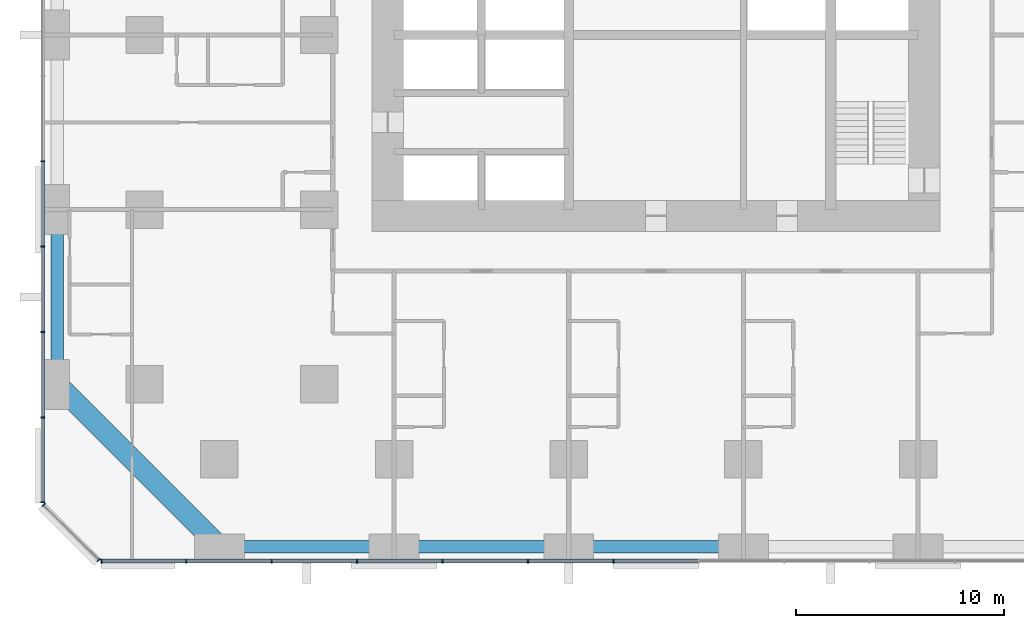
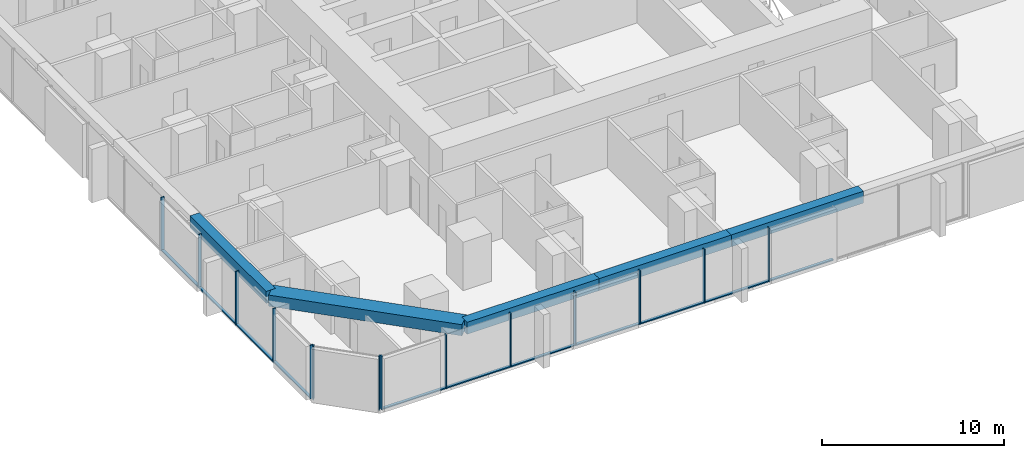
# One storey, part 2 of 17: 25 members, 5 beams, 3 elements without a shape of their own.
"""IFC4 building model written with IfcOpenShell, lengths in metres."""

from ifc_helpers import new_model, si_unit, direction, frame, origin, origin_2d, place, context, subcontext, project, spatial, rectangle, extrude, material, material_profile, profile_set, type_object, element, aggregate, save


model = new_model("IFC4")

# Units and contexts
model_context = context("Model", 3, precision=1e-05, world=origin(), true_north=direction((0.0, 1.0)))
body_context = subcontext(model_context, "Body", "Model", "MODEL_VIEW")
ifc_project = project(units=[si_unit("LENGTHUNIT", "METRE"), si_unit("AREAUNIT", "SQUARE_METRE"), si_unit("VOLUMEUNIT", "CUBIC_METRE"), si_unit("PLANEANGLEUNIT", "RADIAN"), si_unit("MASSUNIT", "GRAM", prefix="KILO")], contexts=[model_context])

# Site, building, storey
site_placement = place(None, origin())
site = spatial("IfcSite", under=ifc_project, at=site_placement, CompositionType="ELEMENT")
building_placement = place(site_placement, origin())
building = spatial("IfcBuilding", under=site, at=building_placement, Name="Dunama Terrace Hotel", CompositionType="ELEMENT")
storey_placement = place(building_placement, frame((0.0, 0.0, 59.39990234375)))
storey = spatial("IfcBuildingStorey", under=building, at=storey_placement, Name="L14", CompositionType="ELEMENT", Elevation=59.39990234375)

# Curtain wall, members
ifc_material_1 = material(Name="Aluminium curtain wall system", Category="aluminium")
curtain_wall_type = type_object("IfcCurtainWallType", Name="Unitised fritted glass wall CW-A", PredefinedType="NOTDEFINED", material=ifc_material_1)
curtain_wall_1_placement = place(storey_placement, origin())
curtain_wall_1 = element("IfcCurtainWall", 1, at=curtain_wall_1_placement, inside=storey, type_object=curtain_wall_type, Name="Unitised fritted glass wall CW-A L14", PredefinedType="NOTDEFINED")
ifc_material_2 = material(Name="Aluminium mullion", Category="aluminium")
ifc_material_profile_1 = material_profile(ifc_material_2, rectangle(XDim=0.06494140625, YDim=0.199951171875, at=origin_2d()), Name="CWA MULLION 65X200")
ifc_profile_set_1 = profile_set([ifc_material_profile_1], Name="Aluminium mullion")
member_type_1 = type_object("IfcMemberType", Name="CWA mullion 65x200", PredefinedType="MULLION", material=ifc_profile_set_1)
member_1_placement = place(storey_placement, frame((2.73291015625, -0.10009765625, 0.0), z_axis=(0.0, 0.0, 1.0), x_axis=(1.0, 0.0, 0.0)))
member_1 = element("IfcMember", 2, at=member_1_placement, type_object=member_type_1, Name="CWA mullion", PredefinedType="MULLION", context=body_context, shape_type="SweptSolid", body=[
    extrude(rectangle(XDim=0.06494140625, YDim=0.199951171875, at=origin_2d()), origin(), (0.0, 0.0, 1.0), 3.60009765625),
])
member_2_placement = place(storey_placement, frame((6.80810546875, -0.10009765625, 0.0), z_axis=(0.0, 0.0, 1.0), x_axis=(1.0, 0.0, 0.0)))
member_2 = element("IfcMember", 3, at=member_2_placement, type_object=member_type_1, Name="CWA mullion", PredefinedType="MULLION", context=body_context, shape_type="SweptSolid", body=[
    extrude(rectangle(XDim=0.06494140625, YDim=0.199951171875, at=origin_2d()), origin(), (0.0, 0.0, 1.0), 3.60009765625),
])
member_3_placement = place(storey_placement, frame((10.9150390625, -0.10009765625, 0.0), z_axis=(0.0, 0.0, 1.0), x_axis=(1.0, 0.0, 0.0)))
member_3 = element("IfcMember", 4, at=member_3_placement, type_object=member_type_1, Name="CWA mullion", PredefinedType="MULLION", context=body_context, shape_type="SweptSolid", body=[
    extrude(rectangle(XDim=0.06494140625, YDim=0.199951171875, at=origin_2d()), origin(), (0.0, 0.0, 1.0), 3.60009765625),
])
member_4_placement = place(storey_placement, frame((15.02294921875, -0.10009765625, 0.0), z_axis=(0.0, 0.0, 1.0), x_axis=(1.0, 0.0, 0.0)))
member_4 = element("IfcMember", 5, at=member_4_placement, type_object=member_type_1, Name="CWA mullion", PredefinedType="MULLION", context=body_context, shape_type="SweptSolid", body=[
    extrude(rectangle(XDim=0.06494140625, YDim=0.199951171875, at=origin_2d()), origin(), (0.0, 0.0, 1.0), 3.60009765625),
])
member_5_placement = place(storey_placement, frame((19.131103515625, -0.10009765625, 0.0), z_axis=(0.0, 0.0, 1.0), x_axis=(1.0, 0.0, 0.0)))
member_5 = element("IfcMember", 6, at=member_5_placement, type_object=member_type_1, Name="CWA mullion", PredefinedType="MULLION", context=body_context, shape_type="SweptSolid", body=[
    extrude(rectangle(XDim=0.06494140625, YDim=0.199951171875, at=origin_2d()), origin(), (0.0, 0.0, 1.0), 3.60009765625),
])
member_6_placement = place(storey_placement, frame((23.238037109375, -0.10009765625, 0.0), z_axis=(0.0, 0.0, 1.0), x_axis=(1.0, 0.0, 0.0)))
member_6 = element("IfcMember", 7, at=member_6_placement, type_object=member_type_1, Name="CWA mullion", PredefinedType="MULLION", context=body_context, shape_type="SweptSolid", body=[
    extrude(rectangle(XDim=0.06494140625, YDim=0.199951171875, at=origin_2d()), origin(), (0.0, 0.0, 1.0), 3.60009765625),
])
member_7_placement = place(storey_placement, frame((27.345947265625, -0.10009765625, 0.0), z_axis=(0.0, 0.0, 1.0), x_axis=(1.0, 0.0, 0.0)))
member_7 = element("IfcMember", 8, at=member_7_placement, type_object=member_type_1, Name="CWA mullion", PredefinedType="MULLION", context=body_context, shape_type="SweptSolid", body=[
    extrude(rectangle(XDim=0.06494140625, YDim=0.199951171875, at=origin_2d()), origin(), (0.0, 0.0, 1.0), 3.60009765625),
])

curtain_wall_2_placement = place(storey_placement, origin())
curtain_wall_2 = element("IfcCurtainWall", 9, at=curtain_wall_2_placement, inside=storey, type_object=curtain_wall_type, Name="Unitised fritted glass wall CW-A L14", PredefinedType="NOTDEFINED")
member_8_placement = place(storey_placement, frame((-0.10009765625, 19.131103515625, 0.0), z_axis=(0.0, 0.0, 1.0), x_axis=(0.0, -1.0, 0.0)))
member_8 = element("IfcMember", 10, at=member_8_placement, type_object=member_type_1, Name="CWA mullion", PredefinedType="MULLION", context=body_context, shape_type="SweptSolid", body=[
    extrude(rectangle(XDim=0.06494140625, YDim=0.199951171875, at=origin_2d()), origin(), (0.0, 0.0, 1.0), 3.60009765625),
])
member_9_placement = place(storey_placement, frame((-0.10009765625, 15.02294921875, 0.0), z_axis=(0.0, 0.0, 1.0), x_axis=(0.0, -1.0, 0.0)))
member_9 = element("IfcMember", 11, at=member_9_placement, type_object=member_type_1, Name="CWA mullion", PredefinedType="MULLION", context=body_context, shape_type="SweptSolid", body=[
    extrude(rectangle(XDim=0.06494140625, YDim=0.199951171875, at=origin_2d()), origin(), (0.0, 0.0, 1.0), 3.60009765625),
])
member_10_placement = place(storey_placement, frame((-0.10009765625, 10.9150390625, 0.0), z_axis=(0.0, 0.0, 1.0), x_axis=(0.0, -1.0, 0.0)))
member_10 = element("IfcMember", 12, at=member_10_placement, type_object=member_type_1, Name="CWA mullion", PredefinedType="MULLION", context=body_context, shape_type="SweptSolid", body=[
    extrude(rectangle(XDim=0.06494140625, YDim=0.199951171875, at=origin_2d()), origin(), (0.0, 0.0, 1.0), 3.60009765625),
])
member_11_placement = place(storey_placement, frame((-0.10009765625, 6.80810546875, 0.0), z_axis=(0.0, 0.0, 1.0), x_axis=(0.0, -1.0, 0.0)))
member_11 = element("IfcMember", 13, at=member_11_placement, type_object=member_type_1, Name="CWA mullion", PredefinedType="MULLION", context=body_context, shape_type="SweptSolid", body=[
    extrude(rectangle(XDim=0.06494140625, YDim=0.199951171875, at=origin_2d()), origin(), (0.0, 0.0, 1.0), 3.60009765625),
])
member_12_placement = place(storey_placement, frame((-0.10009765625, 2.73291015625, 0.0), z_axis=(0.0, 0.0, 1.0), x_axis=(0.0, -1.0, 0.0)))
member_12 = element("IfcMember", 14, at=member_12_placement, type_object=member_type_1, Name="CWA mullion", PredefinedType="MULLION", context=body_context, shape_type="SweptSolid", body=[
    extrude(rectangle(XDim=0.06494140625, YDim=0.199951171875, at=origin_2d()), origin(), (0.0, 0.0, 1.0), 3.60009765625),
])

curtain_wall_3_placement = place(storey_placement, origin())
curtain_wall_3 = element("IfcCurtainWall", 15, at=curtain_wall_3_placement, inside=storey, type_object=curtain_wall_type, Name="Unitised fritted glass wall CW-A L14", PredefinedType="NOTDEFINED")
member_13_placement = place(storey_placement, frame((-0.048095703125, 2.60595703125, 0.0), z_axis=(0.0, 0.0, 1.0), x_axis=(0.707106781187, -0.707106781187, 0.0)))
member_13 = element("IfcMember", 16, at=member_13_placement, type_object=member_type_1, Name="CWA mullion", PredefinedType="MULLION", context=body_context, shape_type="SweptSolid", body=[
    extrude(rectangle(XDim=0.06494140625, YDim=0.199951171875, at=origin_2d()), origin(), (0.0, 0.0, 1.0), 3.60009765625),
])
member_14_placement = place(storey_placement, frame((2.60595703125, -0.048095703125, 0.0), z_axis=(0.0, 0.0, 1.0), x_axis=(0.707106781187, -0.707106781187, 0.0)))
member_14 = element("IfcMember", 17, at=member_14_placement, type_object=member_type_1, Name="CWA mullion", PredefinedType="MULLION", context=body_context, shape_type="SweptSolid", body=[
    extrude(rectangle(XDim=0.06494140625, YDim=0.199951171875, at=origin_2d()), origin(), (0.0, 0.0, 1.0), 3.60009765625),
])
aggregate(curtain_wall_3, [member_13, member_14])

# Member
ifc_material_3 = material(Name="Aluminium transom", Category="aluminium")
ifc_material_profile_2 = material_profile(ifc_material_3, rectangle(XDim=0.179931640625, YDim=0.074951171875, at=origin_2d()), Name="CWA TRANSOM 180X75")
ifc_profile_set_2 = profile_set([ifc_material_profile_2], Name="Aluminium transom")
member_type_2 = type_object("IfcMemberType", Name="CWA transom 180x75", PredefinedType="USERDEFINED", material=ifc_profile_set_2)
member_15_placement = place(storey_placement, frame((2.764892578125, -0.10009765625, 0.03759765625), z_axis=(1.0, 0.0, 0.0), x_axis=(0.0, 1.0, 0.0)))
member_15 = element("IfcMember", 18, at=member_15_placement, type_object=member_type_2, Name="CWA transom", ObjectType="TRANSOM", PredefinedType="USERDEFINED", context=body_context, shape_type="SweptSolid", body=[
    extrude(rectangle(XDim=0.179931640625, YDim=0.074951171875, at=origin_2d()), origin(), (0.0, 0.0, 1.0), 4.010009765625),
])

member_16_placement = place(storey_placement, frame((6.840087890625, -0.10009765625, 0.03759765625), z_axis=(1.0, 0.0, 0.0), x_axis=(0.0, 1.0, 0.0)))
member_16 = element("IfcMember", 19, at=member_16_placement, type_object=member_type_2, Name="CWA transom", ObjectType="TRANSOM", PredefinedType="USERDEFINED", context=body_context, shape_type="SweptSolid", body=[
    extrude(rectangle(XDim=0.179931640625, YDim=0.074951171875, at=origin_2d()), origin(), (0.0, 0.0, 1.0), 4.04296875),
])

member_17_placement = place(storey_placement, frame((10.947998046875, -0.10009765625, 0.03759765625), z_axis=(1.0, 0.0, 0.0), x_axis=(0.0, 1.0, 0.0)))
member_17 = element("IfcMember", 20, at=member_17_placement, type_object=member_type_2, Name="CWA transom", ObjectType="TRANSOM", PredefinedType="USERDEFINED", context=body_context, shape_type="SweptSolid", body=[
    extrude(rectangle(XDim=0.179931640625, YDim=0.074951171875, at=origin_2d()), origin(), (0.0, 0.0, 1.0), 4.04296875),
])

member_18_placement = place(storey_placement, frame((15.055908203125, -0.10009765625, 0.03759765625), z_axis=(1.0, 0.0, 0.0), x_axis=(0.0, 1.0, 0.0)))
member_18 = element("IfcMember", 21, at=member_18_placement, type_object=member_type_2, Name="CWA transom", ObjectType="TRANSOM", PredefinedType="USERDEFINED", context=body_context, shape_type="SweptSolid", body=[
    extrude(rectangle(XDim=0.179931640625, YDim=0.074951171875, at=origin_2d()), origin(), (0.0, 0.0, 1.0), 4.0419921875),
])

member_19_placement = place(storey_placement, frame((19.1630859375, -0.10009765625, 0.03759765625), z_axis=(1.0, 0.0, 0.0), x_axis=(0.0, 1.0, 0.0)))
member_19 = element("IfcMember", 22, at=member_19_placement, type_object=member_type_2, Name="CWA transom", ObjectType="TRANSOM", PredefinedType="USERDEFINED", context=body_context, shape_type="SweptSolid", body=[
    extrude(rectangle(XDim=0.179931640625, YDim=0.074951171875, at=origin_2d()), origin(), (0.0, 0.0, 1.0), 4.04296875),
])

member_20_placement = place(storey_placement, frame((23.27099609375, -0.10009765625, 0.03759765625), z_axis=(1.0, 0.0, 0.0), x_axis=(0.0, 1.0, 0.0)))
member_20 = element("IfcMember", 23, at=member_20_placement, type_object=member_type_2, Name="CWA transom", ObjectType="TRANSOM", PredefinedType="USERDEFINED", context=body_context, shape_type="SweptSolid", body=[
    extrude(rectangle(XDim=0.179931640625, YDim=0.074951171875, at=origin_2d()), origin(), (0.0, 0.0, 1.0), 4.04296875),
])

member_21_placement = place(storey_placement, frame((27.37890625, -0.10009765625, 0.03759765625), z_axis=(1.0, 0.0, 0.0), x_axis=(0.0, 1.0, 0.0)))
member_21 = element("IfcMember", 24, at=member_21_placement, type_object=member_type_2, Name="CWA transom", ObjectType="TRANSOM", PredefinedType="USERDEFINED", context=body_context, shape_type="SweptSolid", body=[
    extrude(rectangle(XDim=0.179931640625, YDim=0.074951171875, at=origin_2d()), origin(), (0.0, 0.0, 1.0), 4.0419921875),
])

aggregate(curtain_wall_1, [member_1, member_2, member_3, member_4, member_5, member_6, member_7, member_15, member_16, member_17, member_18, member_19, member_20, member_21])

member_22_placement = place(storey_placement, frame((-0.10009765625, 19.097900390625, 0.03759765625), z_axis=(0.0, -1.0, 0.0), x_axis=(1.0, 0.0, 0.0)))
member_22 = element("IfcMember", 25, at=member_22_placement, type_object=member_type_2, Name="CWA transom", ObjectType="TRANSOM", PredefinedType="USERDEFINED", context=body_context, shape_type="SweptSolid", body=[
    extrude(rectangle(XDim=0.179931640625, YDim=0.074951171875, at=origin_2d()), origin(), (0.0, 0.0, 1.0), 4.0419921875),
])

member_23_placement = place(storey_placement, frame((-0.10009765625, 14.990966796875, 0.03759765625), z_axis=(0.0, -1.0, 0.0), x_axis=(1.0, 0.0, 0.0)))
member_23 = element("IfcMember", 26, at=member_23_placement, type_object=member_type_2, Name="CWA transom", ObjectType="TRANSOM", PredefinedType="USERDEFINED", context=body_context, shape_type="SweptSolid", body=[
    extrude(rectangle(XDim=0.179931640625, YDim=0.074951171875, at=origin_2d()), origin(), (0.0, 0.0, 1.0), 4.04296875),
])

member_24_placement = place(storey_placement, frame((-0.10009765625, 10.883056640625, 0.03759765625), z_axis=(0.0, -1.0, 0.0), x_axis=(1.0, 0.0, 0.0)))
member_24 = element("IfcMember", 27, at=member_24_placement, type_object=member_type_2, Name="CWA transom", ObjectType="TRANSOM", PredefinedType="USERDEFINED", context=body_context, shape_type="SweptSolid", body=[
    extrude(rectangle(XDim=0.179931640625, YDim=0.074951171875, at=origin_2d()), origin(), (0.0, 0.0, 1.0), 4.04296875),
])

member_25_placement = place(storey_placement, frame((-0.10009765625, 6.77490234375, 0.03759765625), z_axis=(0.0, -1.0, 0.0), x_axis=(1.0, 0.0, 0.0)))
member_25 = element("IfcMember", 28, at=member_25_placement, type_object=member_type_2, Name="CWA transom", ObjectType="TRANSOM", PredefinedType="USERDEFINED", context=body_context, shape_type="SweptSolid", body=[
    extrude(rectangle(XDim=0.179931640625, YDim=0.074951171875, at=origin_2d()), origin(), (0.0, 0.0, 1.0), 4.010009765625),
])

aggregate(curtain_wall_2, [member_8, member_9, member_10, member_11, member_12, member_22, member_23, member_24, member_25])

# Beams
ifc_material_4 = material(Name="Concrete C50/60", Category="concrete")
ifc_material_profile_3 = material_profile(ifc_material_4, rectangle(XDim=1.0, YDim=0.75, at=origin_2d()), Name="RC 1000x750")
ifc_profile_set_3 = profile_set([ifc_material_profile_3], Name="Concrete C50/60")
beam_type_1 = type_object("IfcBeamType", Name="Edge beam RC 1000x750", PredefinedType="SPANDREL", material=ifc_profile_set_3)
beam_1_placement = place(storey_placement, frame((8.39990234375, 0.60009765625, 3.22509765625), z_axis=(-0.707106781187, 0.707106781187, 0.0), x_axis=(-0.707106781187, -0.707106781187, 0.0)))
element("IfcBeam", 29, at=beam_1_placement, inside=storey, type_object=beam_type_1, Name="Corner edge beam under L15", PredefinedType="SPANDREL", context=body_context, shape_type="SweptSolid", body=[
    extrude(rectangle(XDim=1.0, YDim=0.75, at=origin_2d()), origin(), (0.0, 0.0, 1.0), 11.030517578125),
])
ifc_material_5 = material(Name="Concrete C40/50", Category="concrete")
ifc_material_profile_4 = material_profile(ifc_material_5, rectangle(XDim=0.60009765625, YDim=0.800048828125, at=origin_2d()), Name="RC 600x800")
ifc_profile_set_4 = profile_set([ifc_material_profile_4], Name="Concrete C40/50")
beam_type_2 = type_object("IfcBeamType", Name="Edge beam RC 600x800", PredefinedType="SPANDREL", material=ifc_profile_set_4)
for number, where, z_axis, x_axis, name in (
    (30, (0.60009765625, 8.39990234375, 3.2001953125), (0.0, 1.0, 0.0), (-1.0, 0.0, 0.0), "Edge beam under L15"),
    (31, (8.39990234375, 0.60009765625, 3.2001953125), (1.0, 0.0, 0.0), (0.0, 1.0, 0.0), "Edge beam under L15"),
):
    element("IfcBeam", number, at=place(storey_placement, frame(where, z_axis=z_axis, x_axis=x_axis)), inside=storey, type_object=beam_type_2, Name=name, PredefinedType="SPANDREL", context=body_context, shape_type="SweptSolid", body=[
        extrude(rectangle(XDim=0.60009765625, YDim=0.800048828125, at=origin_2d()), origin(), (0.0, 0.0, 1.0), 8.400146484375),
    ])
beam_2_placement = place(storey_placement, frame((16.800048828125, 0.60009765625, 3.2001953125), z_axis=(1.0, 0.0, 0.0), x_axis=(0.0, 1.0, 0.0)))
element("IfcBeam", 32, at=beam_2_placement, inside=storey, type_object=beam_type_2, Name="Edge beam under L15", PredefinedType="SPANDREL", context=body_context, shape_type="SweptSolid", body=[
    extrude(rectangle(XDim=0.60009765625, YDim=0.800048828125, at=origin_2d()), origin(), (0.0, 0.0, 1.0), 8.39990234375),
])
beam_3_placement = place(storey_placement, frame((25.199951171875, 0.60009765625, 3.2001953125), z_axis=(1.0, 0.0, 0.0), x_axis=(0.0, 1.0, 0.0)))
element("IfcBeam", 33, at=beam_3_placement, inside=storey, type_object=beam_type_2, Name="Edge beam under L15", PredefinedType="SPANDREL", context=body_context, shape_type="SweptSolid", body=[
    extrude(rectangle(XDim=0.60009765625, YDim=0.800048828125, at=origin_2d()), origin(), (0.0, 0.0, 1.0), 8.400146484375),
])

save(model, "model.ifc")
